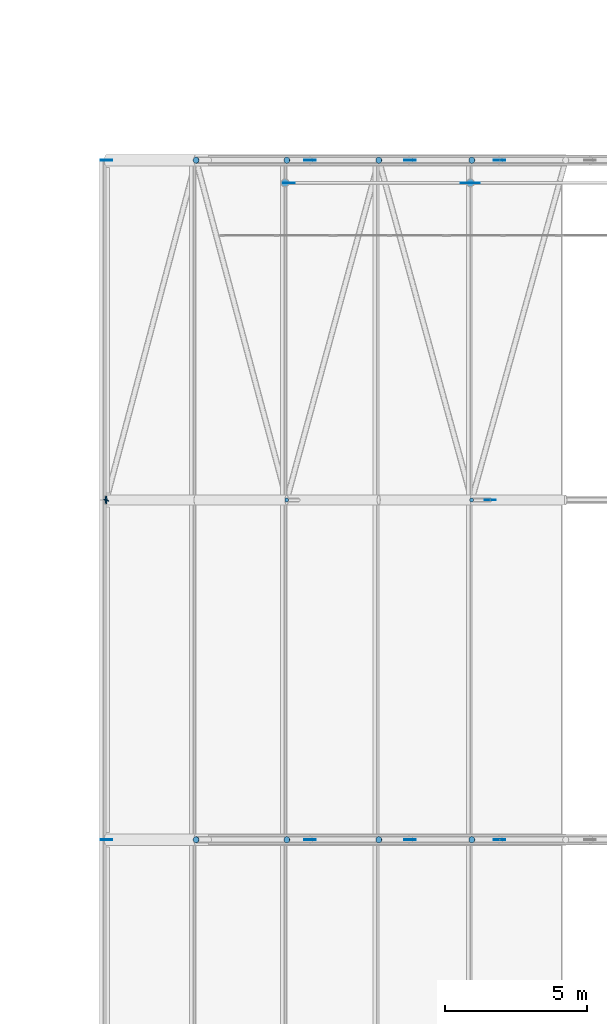
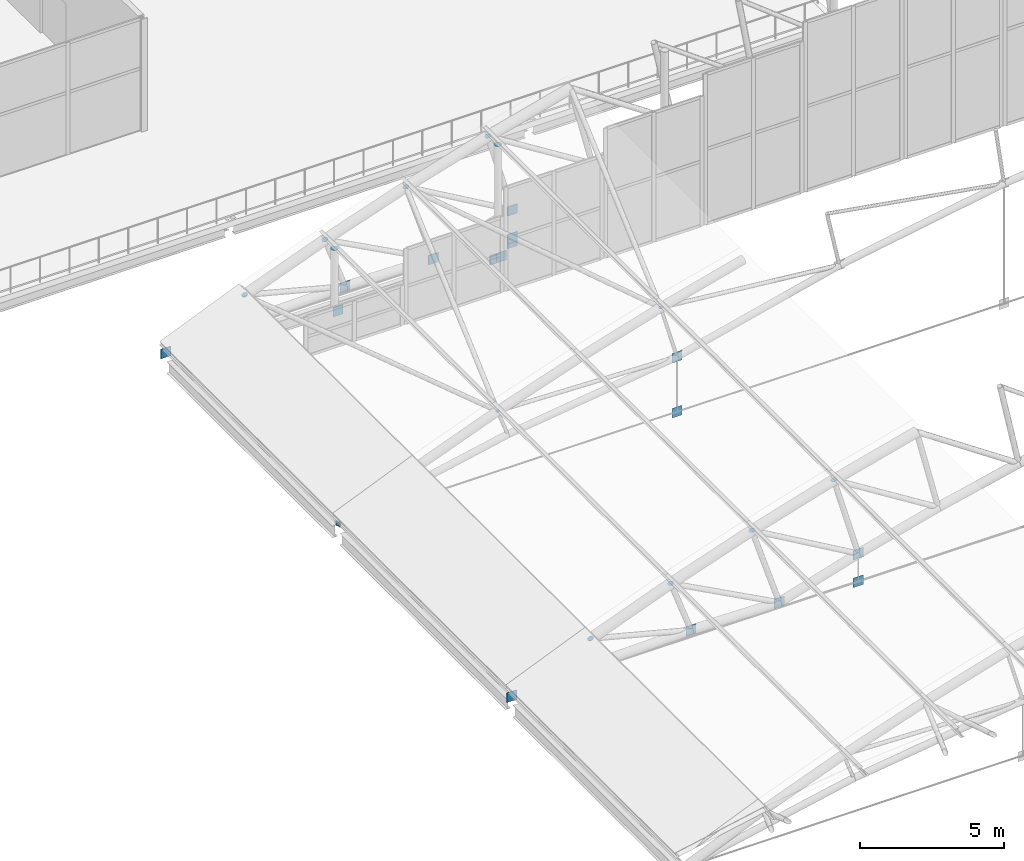
# One storey, part 296 of 321: 30 discrete accessories.
"""IFC4 building model written with IfcOpenShell, lengths in metres."""

import ifcopenshell
import ifcopenshell.guid

model = None  # the IFC model being written
_history = None  # IfcOwnerHistory: only IFC2X3 demands one
_inside = {}  # id of a spatial element -> (the spatial element, [elements in it])
_under = {}  # id of a project, library or spatial element -> (it, [spatial elements below it])
_declared = {}  # id of a project -> (the project, [libraries it declares])
_typed = {}  # id of a type object -> (the type object, [elements of that type])
_made_of = {}  # id of a material, layer set ... -> (it, [elements and type objects made of it])


def new_model(schema):
    """Start an empty IFC model of exactly this schema.

    Asked for "IFC4X3", IfcOpenShell would pick the latest addendum, in which some entities
    have other attributes; the version numbers below select the first issue.
    IFC2X3 requires an IfcOwnerHistory on every rooted entity: one is made here for all.
    """
    global model, _history
    if schema == "IFC4X3":
        model = ifcopenshell.file(schema_version=(4, 3, 0, 0))
    else:
        model = ifcopenshell.file(schema=schema)
    _inside.clear()
    _under.clear()
    _declared.clear()
    _typed.clear()
    _made_of.clear()
    _history = None
    if model.schema == "IFC2X3":
        org = make("IfcOrganization", Name="unknown")
        user = make(
            "IfcPersonAndOrganization",
            ThePerson=make("IfcPerson", FamilyName="unknown"),
            TheOrganization=org,
        )
        app = make(
            "IfcApplication",
            ApplicationDeveloper=org,
            Version="unknown",
            ApplicationFullName="unknown",
            ApplicationIdentifier="unknown",
        )
        _history = make(
            "IfcOwnerHistory",
            OwningUser=user,
            OwningApplication=app,
            ChangeAction="ADDED",
            CreationDate=0,
        )
    return model


def make(cls, **values):
    """One entity of the class cls with the attributes given. An attribute that is None is left unset."""
    return model.create_entity(
        cls, **{name: value for name, value in values.items() if value is not None}
    )


def rooted(cls, **values):
    """An entity with a GlobalId (a new one), such as an element, a storey or a relation."""
    return make(cls, GlobalId=ifcopenshell.guid.new(), OwnerHistory=_history, **values)


def si_unit(unit_type, name, prefix=None):
    """IfcSIUnit, for example si_unit("LENGTHUNIT", "METRE", prefix="MILLI")."""
    return make("IfcSIUnit", UnitType=unit_type, Prefix=prefix, Name=name)


def assignment(units):
    """IfcUnitAssignment: the units of a project."""
    return None if units is None else make("IfcUnitAssignment", Units=units)


def point(xyz):
    """IfcCartesianPoint."""
    return None if xyz is None else make("IfcCartesianPoint", Coordinates=xyz)


def direction(xyz):
    """IfcDirection."""
    return None if xyz is None else make("IfcDirection", DirectionRatios=xyz)


def frame(location, z_axis=None, x_axis=None):
    """IfcAxis2Placement3D, a coordinate frame: its origin and axes. An axis left out is left unset."""
    return make(
        "IfcAxis2Placement3D",
        Location=point(location),
        Axis=direction(z_axis),
        RefDirection=direction(x_axis),
    )


def frame_2d(location, x_axis=None):
    """IfcAxis2Placement2D, a coordinate frame in the plane: its origin and x axis."""
    return make(
        "IfcAxis2Placement2D", Location=point(location), RefDirection=direction(x_axis)
    )


def origin():
    """The frame at (0, 0, 0) with its axes left unset."""
    return frame((0.0, 0.0, 0.0))


def origin_2d():
    """The frame at (0, 0) in the plane with its x axis left unset."""
    return frame_2d((0.0, 0.0))


def place(relative_to, where):
    """IfcLocalPlacement: puts the frame where relative to a parent placement (None: the world)."""
    return make(
        "IfcLocalPlacement", PlacementRelTo=relative_to, RelativePlacement=where
    )


def context(
    kind, dimensions, precision=None, world=None, true_north=None, identifier=None
):
    """IfcGeometricRepresentationContext, for example the 3D "Model" context."""
    return make(
        "IfcGeometricRepresentationContext",
        ContextIdentifier=identifier,
        ContextType=kind,
        CoordinateSpaceDimension=dimensions,
        Precision=precision,
        WorldCoordinateSystem=world,
        TrueNorth=true_north,
    )


def subcontext(parent, identifier, kind, view, scale=None):
    """IfcGeometricRepresentationSubContext, for example "Body" below "Model"."""
    return make(
        "IfcGeometricRepresentationSubContext",
        ContextIdentifier=identifier,
        ContextType=kind,
        ParentContext=parent,
        TargetScale=scale,
        TargetView=view,
    )


def project(units=None, contexts=None):
    """IfcProject with its units and contexts."""
    return rooted(
        "IfcProject",
        Name="project",
        RepresentationContexts=contexts,
        UnitsInContext=assignment(units),
    )


def spatial(cls, under=None, at=None, **own):
    """A site, building, storey or space (cls), placed at a placement, below another one or the project."""
    s = rooted(cls, ObjectPlacement=at, **own)
    if under is not None:
        _under.setdefault(under.id(), (under, []))[1].append(s)
    return s


def profile(cls, at=None, kind="AREA", **sizes):
    """A parametric profile (cls). Its sizes go by their IFC names, for example OverallWidth=200.0."""
    return make(cls, ProfileType=kind, Position=at, **sizes)


def rectangle(**sizes):
    """IfcRectangleProfileDef."""
    return profile("IfcRectangleProfileDef", **sizes)


def circle(**sizes):
    """IfcCircleProfileDef."""
    return profile("IfcCircleProfileDef", **sizes)


def extrude(swept, where, along, depth):
    """IfcExtrudedAreaSolid: the profile swept, set in the frame where, extruded along a direction by depth."""
    return make(
        "IfcExtrudedAreaSolid",
        SweptArea=swept,
        Position=where,
        ExtrudedDirection=direction(along),
        Depth=depth,
    )


def shape(context_of_items, identifier, shape_type, items):
    """IfcShapeRepresentation: the items that make up one representation, for example the "Body"."""
    return make(
        "IfcShapeRepresentation",
        ContextOfItems=context_of_items,
        RepresentationIdentifier=identifier,
        RepresentationType=shape_type,
        Items=items,
    )


def material(Name=None, Category=None):
    """IfcMaterial."""
    return make("IfcMaterial", Name=Name, Category=Category)


def material_profile(
    of_material, cross_section, Name=None, Category=None, Priority=None
):
    """IfcMaterialProfile: a cross section and its material."""
    return make(
        "IfcMaterialProfile",
        Name=Name,
        Material=of_material,
        Profile=cross_section,
        Priority=Priority,
        Category=Category,
    )


def profile_set(profiles, Name=None, composite=None):
    """IfcMaterialProfileSet."""
    return make(
        "IfcMaterialProfileSet",
        Name=Name,
        MaterialProfiles=profiles,
        CompositeProfile=composite,
    )


def made_of(thing, what):
    """Note that an element or type object is made of a material, layer set ...; save() writes the relation."""
    if what is not None:
        _made_of.setdefault(what.id(), (what, []))[1].append(thing)
    return thing


def type_object(cls, material=None, **own):
    """A type object (cls), such as IfcWallType, which elements share."""
    return made_of(rooted(cls, **own), material)


def element(
    cls,
    number,
    at=None,
    inside=None,
    cuts=None,
    type_object=None,
    material=None,
    context=None,
    identifier="Body",
    shape_type=None,
    held_by="IfcProductDefinitionShape",
    body=None,
    shapes=None,
    **own,
):
    """One element of the class cls, such as IfcWall. Its Tag is "e" and its number.

    at: its placement. inside: the storey or other place that contains it. cuts: it is an
    opening in that element (IfcRelVoidsElement). A single representation is given by context,
    identifier, shape_type and body (its items); several are given by shapes. held_by: the class
    of the entity that holds the representations. save() writes the other relations.
    """
    e = rooted(cls, Tag="e%d" % number, ObjectPlacement=at, **own)
    if body is not None:
        shapes = [shape(context, identifier, shape_type, body)]
    if shapes is not None:
        e.Representation = make(held_by, Representations=shapes)
    if inside is not None:
        _inside.setdefault(inside.id(), (inside, []))[1].append(e)
    if cuts is not None:
        rooted(
            "IfcRelVoidsElement", RelatingBuildingElement=cuts, RelatedOpeningElement=e
        )
    if type_object is not None:
        _typed.setdefault(type_object.id(), (type_object, []))[1].append(e)
    return made_of(e, material)


def aggregate(whole, parts):
    """IfcRelAggregates: a whole, such as a stair, and the parts it consists of."""
    return rooted("IfcRelAggregates", RelatingObject=whole, RelatedObjects=parts)


def save(model, path):
    """Write the relations noted so far, then the file.

    IfcRelAggregates (storeys below a building ...), IfcRelContainedInSpatialStructure (elements
    in a storey), IfcRelDefinesByType, IfcRelAssociatesMaterial and IfcRelDeclares: one each for
    every whole, place, type object, material and project.
    """
    for whole, parts in _under.values():
        aggregate(whole, parts)
    for where, things in _inside.values():
        rooted(
            "IfcRelContainedInSpatialStructure",
            RelatedElements=things,
            RelatingStructure=where,
        )
    for kind, things in _typed.values():
        rooted("IfcRelDefinesByType", RelatedObjects=things, RelatingType=kind)
    for what, things in _made_of.values():
        rooted("IfcRelAssociatesMaterial", RelatedObjects=things, RelatingMaterial=what)
    for by, libraries in _declared.values():
        rooted("IfcRelDeclares", RelatingContext=by, RelatedDefinitions=libraries)
    model.write(path)


model = new_model("IFC4")

# Units and contexts
model_context = context("Model", 3, precision=1e-05, world=origin(), true_north=direction((0.0, 1.0)))
body_context = subcontext(model_context, "Body", "Model", "MODEL_VIEW")
ifc_project = project(units=[si_unit("LENGTHUNIT", "METRE"), si_unit("AREAUNIT", "SQUARE_METRE"), si_unit("VOLUMEUNIT", "CUBIC_METRE"), si_unit("PLANEANGLEUNIT", "RADIAN"), si_unit("MASSUNIT", "GRAM", prefix="KILO")], contexts=[model_context])

# Site, building, storey
site_placement = place(None, origin())
site = spatial("IfcSite", under=ifc_project, at=site_placement, CompositionType="ELEMENT")
building_placement = place(site_placement, origin())
building = spatial("IfcBuilding", under=site, at=building_placement, Name="Ravi Spectrum Wholesale Market", CompositionType="ELEMENT")
storey_placement = place(building_placement, frame((0.0, 0.0, 10.800048828125)))
storey = spatial("IfcBuildingStorey", under=building, at=storey_placement, Name="L02", CompositionType="ELEMENT", Elevation=10.800048828125)

# Discrete accessories
ifc_material_1 = material(Name="Steel S355", Category="steel")
ifc_material_profile_1 = material_profile(ifc_material_1, circle(Radius=0.06982421875, at=origin_2d()))
ifc_profile_set_1 = profile_set([ifc_material_profile_1], Name="Steel S355")
discrete_accessory_type_1 = type_object("IfcDiscreteAccessoryType", Name="End plate CHS 139.7x5", PredefinedType="BRACKET", material=ifc_profile_set_1)
for number, where, z_axis, x_axis, name in (
    (1, (36.363037109375, 186.0, 2.56494140625), (-0.346650140872, 0.0, 0.937994498829), (0.0, -1.0, 0.0), "End plate"),
    (2, (42.896240234375, 186.0, 4.661376953125), (-0.266586054538, 0.0, 0.963811120254), (0.0, -1.0, 0.0), "End plate"),
):
    element("IfcDiscreteAccessory", number, at=place(storey_placement, frame(where, z_axis=z_axis, x_axis=x_axis)), inside=storey, type_object=discrete_accessory_type_1, Name=name, PredefinedType="BRACKET", context=body_context, shape_type="SweptSolid", body=[
        extrude(circle(Radius=0.06982421875, at=origin_2d()), origin(), (0.0, 0.0, 1.0), 0.011962890625),
    ])
ifc_material_2 = material(Name="Steel S355", Category="steel")
ifc_material_profile_2 = material_profile(ifc_material_2, circle(Radius=0.096923828125, at=origin_2d()))
ifc_profile_set_2 = profile_set([ifc_material_profile_2], Name="Steel S355")
discrete_accessory_type_2 = type_object("IfcDiscreteAccessoryType", Name="End plate CHS 193.7x6.3", PredefinedType="BRACKET", material=ifc_profile_set_2)
discrete_accessory_1_placement = place(storey_placement, frame((29.98974609375, 186.0, 0.023193359375), z_axis=(-0.246079434959, -0.963811120254, -0.102533097899), x_axis=(0.968917710624, -0.247383245266, 0.0)))
element("IfcDiscreteAccessory", 3, at=discrete_accessory_1_placement, inside=storey, type_object=discrete_accessory_type_2, Name="End plate", PredefinedType="BRACKET", context=body_context, shape_type="SweptSolid", body=[
    extrude(circle(Radius=0.096923828125, at=origin_2d()), origin(), (0.0, 0.0, 1.0), 0.011962890625),
])
ifc_material_3 = material(Name="Steel S355", Category="steel")
ifc_material_profile_3 = material_profile(ifc_material_3, circle(Radius=0.109619140625, at=origin_2d()))
ifc_profile_set_3 = profile_set([ifc_material_profile_3], Name="Steel S355")
discrete_accessory_type_3 = type_object("IfcDiscreteAccessoryType", Name="End plate CHS 219.1x8", PredefinedType="BRACKET", material=ifc_profile_set_3)
for number, where, z_axis, x_axis, name in (
    (4, (33.163818359375, 174.0, 1.325439453125), (-0.364399348581, 0.0, 0.931242779706), (0.0, -1.0, 0.0), "End plate"),
    (5, (36.37158203125, 174.0, 2.541015625), (-0.346650140872, 0.0, 0.937994498829), (0.0, -1.0, 0.0), "End plate"),
    (6, (39.619384765625, 174.0, 3.645263671875), (-0.304040173793, 0.0, 0.952659211219), (0.0, -1.0, 0.0), "End plate"),
):
    element("IfcDiscreteAccessory", number, at=place(storey_placement, frame(where, z_axis=z_axis, x_axis=x_axis)), inside=storey, type_object=discrete_accessory_type_3, Name=name, PredefinedType="BRACKET", context=body_context, shape_type="SweptSolid", body=[
        extrude(circle(Radius=0.109619140625, at=origin_2d()), origin(), (0.0, 0.0, 1.0), 0.011962890625),
    ])
discrete_accessory_2_placement = place(storey_placement, frame((42.903076171875, 174.0, 4.63671875), z_axis=(-0.261415475728, 0.0, 0.96522637192), x_axis=(0.0, -1.0, 0.0)))
element("IfcDiscreteAccessory", 7, at=discrete_accessory_2_placement, inside=storey, type_object=discrete_accessory_type_3, Name="End plate", PredefinedType="BRACKET", context=body_context, shape_type="SweptSolid", body=[
    extrude(circle(Radius=0.109619140625, at=origin_2d()), origin(), (0.0, 0.0, 1.0), 0.01220703125),
])
for number, where, z_axis, x_axis, name in (
    (8, (33.163818359375, 198.0, 1.325439453125), (-0.364399348581, 0.0, 0.931242779706), (0.0, -1.0, 0.0), "End plate"),
    (9, (36.37158203125, 198.0, 2.541015625), (-0.346650140872, 0.0, 0.937994498829), (0.0, -1.0, 0.0), "End plate"),
    (10, (39.619384765625, 198.0, 3.645263671875), (-0.304040173793, 0.0, 0.952659211219), (0.0, -1.0, 0.0), "End plate"),
):
    element("IfcDiscreteAccessory", number, at=place(storey_placement, frame(where, z_axis=z_axis, x_axis=x_axis)), inside=storey, type_object=discrete_accessory_type_3, Name=name, PredefinedType="BRACKET", context=body_context, shape_type="SweptSolid", body=[
        extrude(circle(Radius=0.109619140625, at=origin_2d()), origin(), (0.0, 0.0, 1.0), 0.011962890625),
    ])
discrete_accessory_3_placement = place(storey_placement, frame((42.903076171875, 198.0, 4.63671875), z_axis=(-0.261415475728, 0.0, 0.96522637192), x_axis=(0.0, -1.0, 0.0)))
element("IfcDiscreteAccessory", 11, at=discrete_accessory_3_placement, inside=storey, type_object=discrete_accessory_type_3, Name="End plate", PredefinedType="BRACKET", context=body_context, shape_type="SweptSolid", body=[
    extrude(circle(Radius=0.109619140625, at=origin_2d()), origin(), (0.0, 0.0, 1.0), 0.01220703125),
])
ifc_material_4 = material(Name="Steel S355", Category="steel")
ifc_material_profile_4 = material_profile(ifc_material_4, circle(Radius=0.136474609375, at=origin_2d()))
ifc_profile_set_4 = profile_set([ifc_material_profile_4], Name="Steel S355")
discrete_accessory_type_4 = type_object("IfcDiscreteAccessoryType", Name="End plate CHS 273x10", PredefinedType="BRACKET", material=ifc_profile_set_4)
discrete_accessory_4_placement = place(storey_placement, frame((29.98974609375, 186.0, 0.023193359375), z_axis=(-0.978980419738, 0.0, -0.203954254112), x_axis=(0.0, -1.0, 0.0)))
element("IfcDiscreteAccessory", 12, at=discrete_accessory_4_placement, inside=storey, type_object=discrete_accessory_type_4, Name="End plate", PredefinedType="BRACKET", context=body_context, shape_type="SweptSolid", body=[
    extrude(circle(Radius=0.136474609375, at=origin_2d()), origin(), (0.0, 0.0, 1.0), 0.011962890625),
])
discrete_accessory_5_placement = place(storey_placement, frame((36.302978515625, 197.199951171875, 2.68310546875), z_axis=(0.0, 0.0, 1.0), x_axis=(1.0, 0.0, 0.0)))
element("IfcDiscreteAccessory", 13, at=discrete_accessory_5_placement, inside=storey, type_object=discrete_accessory_type_4, Name="End plate", PredefinedType="BRACKET", context=body_context, shape_type="SweptSolid", body=[
    extrude(circle(Radius=0.136474609375, at=origin_2d()), origin(), (0.0, 0.0, 1.0), 0.01220703125),
])
discrete_accessory_6_placement = place(storey_placement, frame((42.847900390625, 197.199951171875, 4.793701171875), z_axis=(0.0, 0.0, 1.0), x_axis=(1.0, 0.0, 0.0)))
element("IfcDiscreteAccessory", 14, at=discrete_accessory_6_placement, inside=storey, type_object=discrete_accessory_type_4, Name="End plate", PredefinedType="BRACKET", context=body_context, shape_type="SweptSolid", body=[
    extrude(circle(Radius=0.136474609375, at=origin_2d()), origin(), (0.0, 0.0, 1.0), 0.011962890625),
])
ifc_material_5 = material(Name="Steel S355", Category="steel")
ifc_material_profile_5 = material_profile(ifc_material_5, rectangle(XDim=0.39990234375, YDim=0.02001953125, at=origin_2d()))
ifc_profile_set_5 = profile_set([ifc_material_profile_5], Name="Steel S355")
discrete_accessory_type_5 = type_object("IfcDiscreteAccessoryType", Name="Gusset plate 400x400x20", PredefinedType="BRACKET", material=ifc_profile_set_5)
for number, where, z_axis, x_axis, name in (
    (15, (30.0, 174.0, -0.199951171875), (0.0, 0.0, 1.0), (1.0, 0.0, 0.0), "Gusset plate"),
    (16, (30.0, 198.0, -0.199951171875), (0.0, 0.0, 1.0), (1.0, 0.0, 0.0), "Gusset plate"),
    (17, (36.439453125, 197.199951171875, -0.199951171875), (0.0, 0.0, 1.0), (1.0, 0.0, 0.0), "Gusset plate"),
    (18, (37.18310546875, 174.0, 0.08251953125), (0.0, 0.0, 1.0), (1.0, 0.0, 0.0), "Gusset plate"),
    (19, (37.18310546875, 198.0, 0.08251953125), (0.0, 0.0, 1.0), (1.0, 0.0, 0.0), "Gusset plate"),
):
    element("IfcDiscreteAccessory", number, at=place(storey_placement, frame(where, z_axis=z_axis, x_axis=x_axis)), inside=storey, type_object=discrete_accessory_type_5, Name=name, PredefinedType="BRACKET", context=body_context, shape_type="SweptSolid", body=[
        extrude(rectangle(XDim=0.39990234375, YDim=0.02001953125, at=origin_2d()), origin(), (0.0, 0.0, 1.0), 0.39990234375),
    ])
for number, where, z_axis, x_axis, name in (
    (20, (40.71923828125, 174.0, 0.017333984375), (0.0, 0.0, 1.0), (1.0, 0.0, 0.0), "Gusset plate"),
    (21, (40.71923828125, 198.0, 0.017333984375), (0.0, 0.0, 1.0), (1.0, 0.0, 0.0), "Gusset plate"),
):
    element("IfcDiscreteAccessory", number, at=place(storey_placement, frame(where, z_axis=z_axis, x_axis=x_axis)), inside=storey, type_object=discrete_accessory_type_5, Name=name, PredefinedType="BRACKET", context=body_context, shape_type="SweptSolid", body=[
        extrude(rectangle(XDim=0.39990234375, YDim=0.02001953125, at=origin_2d()), origin(), (0.0, 0.0, 1.0), 0.400146484375),
    ])
for number, where, z_axis, x_axis, name in (
    (22, (42.71142578125, 197.199951171875, -0.199951171875), (0.0, 0.0, 1.0), (1.0, 0.0, 0.0), "Gusset plate"),
    (23, (42.984375, 197.199951171875, -0.199951171875), (0.0, 0.0, 1.0), (1.0, 0.0, 0.0), "Gusset plate"),
    (24, (43.55029296875, 186.0, -0.1767578125), (0.0, 0.0, 1.0), (1.0, 0.0, 0.0), "Gusset plate"),
    (25, (43.55029296875, 186.0, 2.152099609375), (0.0, 0.0, 1.0), (1.0, 0.0, 0.0), "Gusset plate"),
    (26, (43.88427734375, 174.0, -0.199951171875), (0.0, 0.0, 1.0), (1.0, 0.0, 0.0), "Gusset plate"),
    (27, (43.88427734375, 174.0, 0.97314453125), (0.0, 0.0, 1.0), (1.0, 0.0, 0.0), "Gusset plate"),
):
    element("IfcDiscreteAccessory", number, at=place(storey_placement, frame(where, z_axis=z_axis, x_axis=x_axis)), inside=storey, type_object=discrete_accessory_type_5, Name=name, PredefinedType="BRACKET", context=body_context, shape_type="SweptSolid", body=[
        extrude(rectangle(XDim=0.39990234375, YDim=0.02001953125, at=origin_2d()), origin(), (0.0, 0.0, 1.0), 0.39990234375),
    ])
discrete_accessory_7_placement = place(storey_placement, frame((43.88427734375, 198.0, -0.400146484375), z_axis=(0.0, 0.0, 1.0), x_axis=(1.0, 0.0, 0.0)))
element("IfcDiscreteAccessory", 28, at=discrete_accessory_7_placement, inside=storey, type_object=discrete_accessory_type_5, Name="Gusset plate", PredefinedType="BRACKET", context=body_context, shape_type="SweptSolid", body=[
    extrude(rectangle(XDim=0.39990234375, YDim=0.02001953125, at=origin_2d()), origin(), (0.0, 0.0, 1.0), 0.400146484375),
])
for number, where, z_axis, x_axis, name in (
    (29, (43.88427734375, 198.0, -0.199951171875), (0.0, 0.0, 1.0), (1.0, 0.0, 0.0), "Gusset plate"),
    (30, (43.88427734375, 198.0, 0.97314453125), (0.0, 0.0, 1.0), (1.0, 0.0, 0.0), "Gusset plate"),
):
    element("IfcDiscreteAccessory", number, at=place(storey_placement, frame(where, z_axis=z_axis, x_axis=x_axis)), inside=storey, type_object=discrete_accessory_type_5, Name=name, PredefinedType="BRACKET", context=body_context, shape_type="SweptSolid", body=[
        extrude(rectangle(XDim=0.39990234375, YDim=0.02001953125, at=origin_2d()), origin(), (0.0, 0.0, 1.0), 0.39990234375),
    ])

save(model, "model.ifc")
